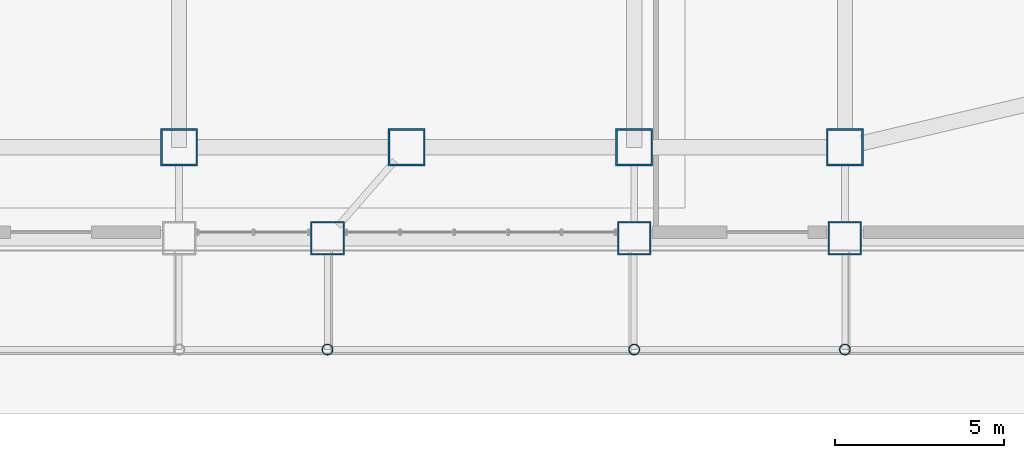
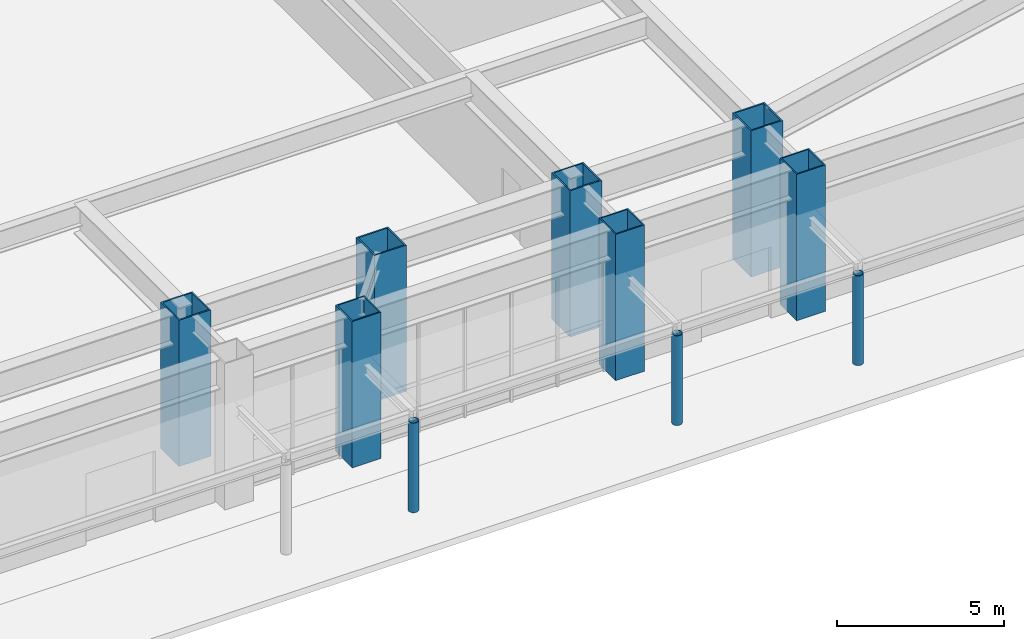
# One storey, part 2 of 18: 10 columns.
"""IFC4 building model written with IfcOpenShell, lengths in metres."""

from ifc_helpers import new_model, si_unit, direction, frame, origin, origin_2d, place, context, subcontext, project, spatial, hollow_rectangle, hollow_circle, extrude, source, transform, mapped, material, material_profile, profile_set, type_object, element, save


model = new_model("IFC4")

# Units and contexts
model_context = context("Model", 3, precision=1e-05, world=origin(), true_north=direction((0.0, 1.0)))
body_context = subcontext(model_context, "Body", "Model", "MODEL_VIEW")
ifc_project = project(units=[si_unit("LENGTHUNIT", "METRE"), si_unit("AREAUNIT", "SQUARE_METRE"), si_unit("VOLUMEUNIT", "CUBIC_METRE"), si_unit("PLANEANGLEUNIT", "RADIAN"), si_unit("MASSUNIT", "GRAM", prefix="KILO")], contexts=[model_context])

# Site, building, storey
site_placement = place(None, origin())
site = spatial("IfcSite", under=ifc_project, at=site_placement, CompositionType="ELEMENT")
building_placement = place(site_placement, origin())
building = spatial("IfcBuilding", under=site, at=building_placement, Name="Giltprow Tower", CompositionType="ELEMENT")
storey_placement = place(building_placement, origin())
storey = spatial("IfcBuildingStorey", under=building, at=storey_placement, Name="L01", CompositionType="ELEMENT", Elevation=0.0)

# Columns
ifc_material_1 = material(Name="Structural steel Q420GJC", Category="steel")
ifc_material_profile_1 = material_profile(ifc_material_1, hollow_rectangle(XDim=1.10009765625, YDim=1.10009765625, WallThickness=0.050048828125, at=origin_2d()), Name="BOX 1100x1100x50")
ifc_profile_set_1 = profile_set([ifc_material_profile_1], Name="Structural steel Q420GJC")
column_type_1 = type_object("IfcColumnType", Name="COL-BOX-1100x1100x50", PredefinedType="COLUMN", material=ifc_profile_set_1)
shared_shape_1 = source(origin(), body_context, "Body", "SweptSolid", [
    extrude(hollow_rectangle(XDim=1.10009765625, YDim=1.10009765625, WallThickness=0.050048828125, at=origin_2d()), origin(), (0.0, 0.0, 1.0), 5.340087890625),
])
for number, where, z_axis, x_axis, name in (
    (1, (30.800048828125, 3.300048828125, 0.0), (0.0, 0.0, 1.0), (1.0, 0.0, 0.0), "L01 Continuous Tower Column S2"),
    (2, (37.550048828125, 3.300048828125, 0.0), (0.0, 0.0, 1.0), (1.0, 0.0, 0.0), "L01 Continuous Tower Column S_MID"),
    (3, (44.300048828125, 3.300048828125, 0.0), (0.0, 0.0, 1.0), (1.0, 0.0, 0.0), "L01 Continuous Tower Column S3"),
    (4, (50.550048828125, 3.300048828125, 0.0), (0.0, 0.0, 1.0), (1.0, 0.0, 0.0), "L01 Continuous Tower Column S4"),
):
    element("IfcColumn", number, at=place(storey_placement, frame(where, z_axis=z_axis, x_axis=x_axis)), inside=storey, type_object=column_type_1, Name=name, PredefinedType="COLUMN", context=body_context, shape_type="MappedRepresentation", body=[
        mapped(shared_shape_1, transform((0.0, 0.0, 0.0), x_axis=(1.0, 0.0, 0.0), y_axis=(0.0, 1.0, 0.0), z_axis=(0.0, 0.0, 1.0), scale=1.0)),
    ])
ifc_material_profile_2 = material_profile(ifc_material_1, hollow_rectangle(XDim=1.0, YDim=1.0, WallThickness=0.044921875, at=origin_2d()), Name="BOX 1000x1000x45")
ifc_profile_set_2 = profile_set([ifc_material_profile_2], Name="Structural steel Q420GJC")
column_type_2 = type_object("IfcColumnType", Name="COL-BOX-1000x1000x45", PredefinedType="COLUMN", material=ifc_profile_set_2)
shared_shape_2 = source(origin(), body_context, "Body", "SweptSolid", [
    extrude(hollow_rectangle(XDim=1.0, YDim=1.0, WallThickness=0.044921875, at=origin_2d()), origin(), (0.0, 0.0, 1.0), 5.340087890625),
])
for number, where, z_axis, x_axis, name in (
    (5, (35.199951171875, 0.60009765625, 0.0), (0.0, 0.0, 1.0), (1.0, 0.0, 0.0), "L01 Podium Column (35.2,0.6)"),
    (6, (44.300048828125, 0.60009765625, 0.0), (0.0, 0.0, 1.0), (1.0, 0.0, 0.0), "L01 Podium Column (44.3,0.6)"),
    (7, (50.550048828125, 0.60009765625, 0.0), (0.0, 0.0, 1.0), (1.0, 0.0, 0.0), "L01 Podium Column (50.5,0.6)"),
):
    element("IfcColumn", number, at=place(storey_placement, frame(where, z_axis=z_axis, x_axis=x_axis)), inside=storey, type_object=column_type_2, Name=name, PredefinedType="COLUMN", context=body_context, shape_type="MappedRepresentation", body=[
        mapped(shared_shape_2, transform((0.0, 0.0, 0.0), x_axis=(1.0, 0.0, 0.0), y_axis=(0.0, 1.0, 0.0), z_axis=(0.0, 0.0, 1.0), scale=1.0)),
    ])
ifc_material_2 = material(Name="Structural steel Q355B", Category="steel")
ifc_material_profile_3 = material_profile(ifc_material_2, hollow_circle(Radius=0.16259765625, WallThickness=0.01611328125, at=origin_2d()), Name="CHS 325x16")
ifc_profile_set_3 = profile_set([ifc_material_profile_3], Name="Structural steel Q355B")
column_type_3 = type_object("IfcColumnType", Name="COL-CANOPY-POST", PredefinedType="COLUMN", material=ifc_profile_set_3)
shared_shape_3 = source(origin(), body_context, "Body", "SweptSolid", [
    extrude(hollow_circle(Radius=0.16259765625, WallThickness=0.01611328125, at=origin_2d()), origin(), (0.0, 0.0, 1.0), 3.27001953125),
])
for number, where, z_axis, x_axis, name in (
    (8, (35.199951171875, -2.699951171875, 0.0), (0.0, 0.0, 1.0), (1.0, 0.0, 0.0), "Promenade Canopy Front Column 4"),
    (9, (44.300048828125, -2.699951171875, 0.0), (0.0, 0.0, 1.0), (1.0, 0.0, 0.0), "Promenade Canopy Front Column 5"),
    (10, (50.550048828125, -2.699951171875, 0.0), (0.0, 0.0, 1.0), (1.0, 0.0, 0.0), "Promenade Canopy Front Column 6"),
):
    element("IfcColumn", number, at=place(storey_placement, frame(where, z_axis=z_axis, x_axis=x_axis)), inside=storey, type_object=column_type_3, Name=name, PredefinedType="COLUMN", context=body_context, shape_type="MappedRepresentation", body=[
        mapped(shared_shape_3, transform((0.0, 0.0, 0.0), x_axis=(1.0, 0.0, 0.0), y_axis=(0.0, 1.0, 0.0), z_axis=(0.0, 0.0, 1.0), scale=1.0)),
    ])

save(model, "model.ifc")
